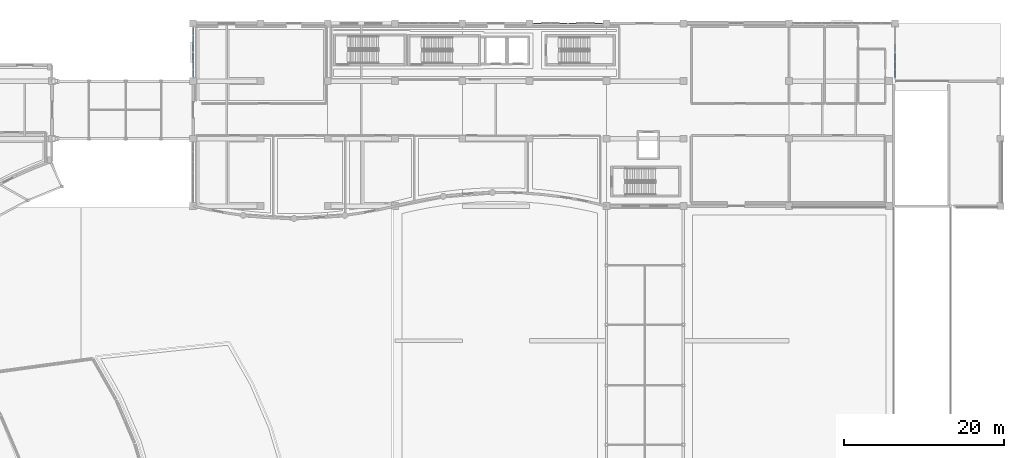
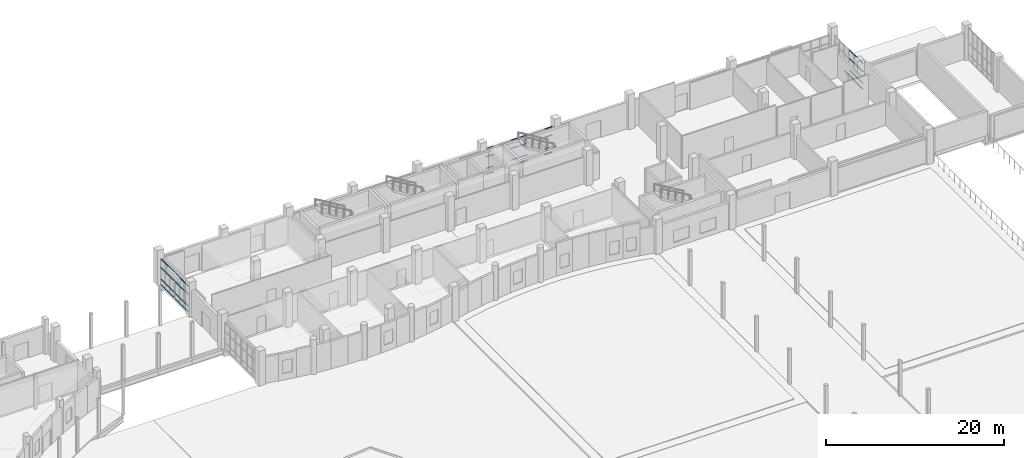
# One storey, part 46 of 97: 53 members, 6 elements without a shape of their own.
"""IFC4 building model written with IfcOpenShell, lengths in metres."""

import ifcopenshell
import ifcopenshell.guid

model = None  # the IFC model being written
_history = None  # IfcOwnerHistory: only IFC2X3 demands one
_inside = {}  # id of a spatial element -> (the spatial element, [elements in it])
_under = {}  # id of a project, library or spatial element -> (it, [spatial elements below it])
_declared = {}  # id of a project -> (the project, [libraries it declares])
_typed = {}  # id of a type object -> (the type object, [elements of that type])
_made_of = {}  # id of a material, layer set ... -> (it, [elements and type objects made of it])


def new_model(schema):
    """Start an empty IFC model of exactly this schema.

    Asked for "IFC4X3", IfcOpenShell would pick the latest addendum, in which some entities
    have other attributes; the version numbers below select the first issue.
    IFC2X3 requires an IfcOwnerHistory on every rooted entity: one is made here for all.
    """
    global model, _history
    if schema == "IFC4X3":
        model = ifcopenshell.file(schema_version=(4, 3, 0, 0))
    else:
        model = ifcopenshell.file(schema=schema)
    _inside.clear()
    _under.clear()
    _declared.clear()
    _typed.clear()
    _made_of.clear()
    _history = None
    if model.schema == "IFC2X3":
        org = make("IfcOrganization", Name="unknown")
        user = make(
            "IfcPersonAndOrganization",
            ThePerson=make("IfcPerson", FamilyName="unknown"),
            TheOrganization=org,
        )
        app = make(
            "IfcApplication",
            ApplicationDeveloper=org,
            Version="unknown",
            ApplicationFullName="unknown",
            ApplicationIdentifier="unknown",
        )
        _history = make(
            "IfcOwnerHistory",
            OwningUser=user,
            OwningApplication=app,
            ChangeAction="ADDED",
            CreationDate=0,
        )
    return model


def make(cls, **values):
    """One entity of the class cls with the attributes given. An attribute that is None is left unset."""
    return model.create_entity(
        cls, **{name: value for name, value in values.items() if value is not None}
    )


def rooted(cls, **values):
    """An entity with a GlobalId (a new one), such as an element, a storey or a relation."""
    return make(cls, GlobalId=ifcopenshell.guid.new(), OwnerHistory=_history, **values)


def si_unit(unit_type, name, prefix=None):
    """IfcSIUnit, for example si_unit("LENGTHUNIT", "METRE", prefix="MILLI")."""
    return make("IfcSIUnit", UnitType=unit_type, Prefix=prefix, Name=name)


def assignment(units):
    """IfcUnitAssignment: the units of a project."""
    return None if units is None else make("IfcUnitAssignment", Units=units)


def point(xyz):
    """IfcCartesianPoint."""
    return None if xyz is None else make("IfcCartesianPoint", Coordinates=xyz)


def direction(xyz):
    """IfcDirection."""
    return None if xyz is None else make("IfcDirection", DirectionRatios=xyz)


def frame(location, z_axis=None, x_axis=None):
    """IfcAxis2Placement3D, a coordinate frame: its origin and axes. An axis left out is left unset."""
    return make(
        "IfcAxis2Placement3D",
        Location=point(location),
        Axis=direction(z_axis),
        RefDirection=direction(x_axis),
    )


def frame_2d(location, x_axis=None):
    """IfcAxis2Placement2D, a coordinate frame in the plane: its origin and x axis."""
    return make(
        "IfcAxis2Placement2D", Location=point(location), RefDirection=direction(x_axis)
    )


def origin():
    """The frame at (0, 0, 0) with its axes left unset."""
    return frame((0.0, 0.0, 0.0))


def origin_2d():
    """The frame at (0, 0) in the plane with its x axis left unset."""
    return frame_2d((0.0, 0.0))


def place(relative_to, where):
    """IfcLocalPlacement: puts the frame where relative to a parent placement (None: the world)."""
    return make(
        "IfcLocalPlacement", PlacementRelTo=relative_to, RelativePlacement=where
    )


def context(
    kind, dimensions, precision=None, world=None, true_north=None, identifier=None
):
    """IfcGeometricRepresentationContext, for example the 3D "Model" context."""
    return make(
        "IfcGeometricRepresentationContext",
        ContextIdentifier=identifier,
        ContextType=kind,
        CoordinateSpaceDimension=dimensions,
        Precision=precision,
        WorldCoordinateSystem=world,
        TrueNorth=true_north,
    )


def subcontext(parent, identifier, kind, view, scale=None):
    """IfcGeometricRepresentationSubContext, for example "Body" below "Model"."""
    return make(
        "IfcGeometricRepresentationSubContext",
        ContextIdentifier=identifier,
        ContextType=kind,
        ParentContext=parent,
        TargetScale=scale,
        TargetView=view,
    )


def project(units=None, contexts=None):
    """IfcProject with its units and contexts."""
    return rooted(
        "IfcProject",
        Name="project",
        RepresentationContexts=contexts,
        UnitsInContext=assignment(units),
    )


def spatial(cls, under=None, at=None, **own):
    """A site, building, storey or space (cls), placed at a placement, below another one or the project."""
    s = rooted(cls, ObjectPlacement=at, **own)
    if under is not None:
        _under.setdefault(under.id(), (under, []))[1].append(s)
    return s


def profile(cls, at=None, kind="AREA", **sizes):
    """A parametric profile (cls). Its sizes go by their IFC names, for example OverallWidth=200.0."""
    return make(cls, ProfileType=kind, Position=at, **sizes)


def hollow_rectangle(**sizes):
    """IfcRectangleHollowProfileDef."""
    return profile("IfcRectangleHollowProfileDef", **sizes)


def extrude(swept, where, along, depth):
    """IfcExtrudedAreaSolid: the profile swept, set in the frame where, extruded along a direction by depth."""
    return make(
        "IfcExtrudedAreaSolid",
        SweptArea=swept,
        Position=where,
        ExtrudedDirection=direction(along),
        Depth=depth,
    )


def shape(context_of_items, identifier, shape_type, items):
    """IfcShapeRepresentation: the items that make up one representation, for example the "Body"."""
    return make(
        "IfcShapeRepresentation",
        ContextOfItems=context_of_items,
        RepresentationIdentifier=identifier,
        RepresentationType=shape_type,
        Items=items,
    )


def material(Name=None, Category=None):
    """IfcMaterial."""
    return make("IfcMaterial", Name=Name, Category=Category)


def layer(
    of_material, thickness, ventilated=None, Name=None, Category=None, Priority=None
):
    """IfcMaterialLayer: one layer of a wall or slab, of a material (None: an air gap)."""
    return make(
        "IfcMaterialLayer",
        Material=of_material,
        LayerThickness=thickness,
        IsVentilated=ventilated,
        Name=Name,
        Category=Category,
        Priority=Priority,
    )


def layer_set(layers, Name=None):
    """IfcMaterialLayerSet."""
    return make("IfcMaterialLayerSet", MaterialLayers=layers, LayerSetName=Name)


def material_profile(
    of_material, cross_section, Name=None, Category=None, Priority=None
):
    """IfcMaterialProfile: a cross section and its material."""
    return make(
        "IfcMaterialProfile",
        Name=Name,
        Material=of_material,
        Profile=cross_section,
        Priority=Priority,
        Category=Category,
    )


def profile_set(profiles, Name=None, composite=None):
    """IfcMaterialProfileSet."""
    return make(
        "IfcMaterialProfileSet",
        Name=Name,
        MaterialProfiles=profiles,
        CompositeProfile=composite,
    )


def made_of(thing, what):
    """Note that an element or type object is made of a material, layer set ...; save() writes the relation."""
    if what is not None:
        _made_of.setdefault(what.id(), (what, []))[1].append(thing)
    return thing


def type_object(cls, material=None, **own):
    """A type object (cls), such as IfcWallType, which elements share."""
    return made_of(rooted(cls, **own), material)


def element(
    cls,
    number,
    at=None,
    inside=None,
    cuts=None,
    type_object=None,
    material=None,
    context=None,
    identifier="Body",
    shape_type=None,
    held_by="IfcProductDefinitionShape",
    body=None,
    shapes=None,
    **own,
):
    """One element of the class cls, such as IfcWall. Its Tag is "e" and its number.

    at: its placement. inside: the storey or other place that contains it. cuts: it is an
    opening in that element (IfcRelVoidsElement). A single representation is given by context,
    identifier, shape_type and body (its items); several are given by shapes. held_by: the class
    of the entity that holds the representations. save() writes the other relations.
    """
    e = rooted(cls, Tag="e%d" % number, ObjectPlacement=at, **own)
    if body is not None:
        shapes = [shape(context, identifier, shape_type, body)]
    if shapes is not None:
        e.Representation = make(held_by, Representations=shapes)
    if inside is not None:
        _inside.setdefault(inside.id(), (inside, []))[1].append(e)
    if cuts is not None:
        rooted(
            "IfcRelVoidsElement", RelatingBuildingElement=cuts, RelatedOpeningElement=e
        )
    if type_object is not None:
        _typed.setdefault(type_object.id(), (type_object, []))[1].append(e)
    return made_of(e, material)


def aggregate(whole, parts):
    """IfcRelAggregates: a whole, such as a stair, and the parts it consists of."""
    return rooted("IfcRelAggregates", RelatingObject=whole, RelatedObjects=parts)


def save(model, path):
    """Write the relations noted so far, then the file.

    IfcRelAggregates (storeys below a building ...), IfcRelContainedInSpatialStructure (elements
    in a storey), IfcRelDefinesByType, IfcRelAssociatesMaterial and IfcRelDeclares: one each for
    every whole, place, type object, material and project.
    """
    for whole, parts in _under.values():
        aggregate(whole, parts)
    for where, things in _inside.values():
        rooted(
            "IfcRelContainedInSpatialStructure",
            RelatedElements=things,
            RelatingStructure=where,
        )
    for kind, things in _typed.values():
        rooted("IfcRelDefinesByType", RelatedObjects=things, RelatingType=kind)
    for what, things in _made_of.values():
        rooted("IfcRelAssociatesMaterial", RelatedObjects=things, RelatingMaterial=what)
    for by, libraries in _declared.values():
        rooted("IfcRelDeclares", RelatingContext=by, RelatedDefinitions=libraries)
    model.write(path)


model = new_model("IFC4")

# Units and contexts
model_context = context("Model", 3, precision=1e-05, world=origin(), true_north=direction((0.0, 1.0)))
body_context = subcontext(model_context, "Body", "Model", "MODEL_VIEW")
ifc_project = project(units=[si_unit("LENGTHUNIT", "METRE"), si_unit("AREAUNIT", "SQUARE_METRE"), si_unit("VOLUMEUNIT", "CUBIC_METRE"), si_unit("PLANEANGLEUNIT", "RADIAN"), si_unit("MASSUNIT", "GRAM", prefix="KILO")], contexts=[model_context])

# Site, building, storey
site_placement = place(None, origin())
site = spatial("IfcSite", under=ifc_project, at=site_placement, CompositionType="ELEMENT")
building_placement = place(site_placement, origin())
building = spatial("IfcBuilding", under=site, at=building_placement, Name="Kisaragi Civic Commons", CompositionType="ELEMENT")
storey_placement = place(building_placement, origin())
storey = spatial("IfcBuildingStorey", under=building, at=storey_placement, Name="L00", CompositionType="ELEMENT", Elevation=0.0)

# Curtain wall, members
ifc_material = material(Name="Thermally broken anodized aluminium and low-E double glazing", Category="aluminium")
ifc_layer = layer(ifc_material, 0.179931640625, Name="Thermally broken anodized aluminium and low-E double glazing", Category="aluminium")
ifc_layer_set = layer_set([ifc_layer], Name="Thermally broken anodized aluminium and low-E double glazing")
curtain_wall_type = type_object("IfcCurtainWallType", Name="CW-01", PredefinedType="NOTDEFINED", material=ifc_layer_set)
curtain_wall_1_placement = place(storey_placement, origin())
curtain_wall_1 = element("IfcCurtainWall", 1, at=curtain_wall_1_placement, inside=storey, type_object=curtain_wall_type, Name="L00 curtain wall CW-01 CW-V4-L00-047", PredefinedType="NOTDEFINED")
ifc_material_profile = material_profile(ifc_material, hollow_rectangle(XDim=0.139892578125, YDim=0.06494140625, WallThickness=0.00439453125, InnerFilletRadius=0.00439453125, OuterFilletRadius=0.009033203125, at=origin_2d()), Name="CWT-65x140x4.5", Category="aluminium")
ifc_profile_set = profile_set([ifc_material_profile], Name="Thermally broken anodized aluminium and low-E double glazing")
member_type = type_object("IfcMemberType", Name="CWT-02", PredefinedType="USERDEFINED", material=ifc_profile_set)
member_1_placement = place(storey_placement, frame((114.5048828125, 118.800048828125, 0.070068359375), z_axis=(1.0, 0.0, 0.0), x_axis=(0.0, 1.0, 0.0)))
member_1 = element("IfcMember", 2, at=member_1_placement, type_object=member_type, Name="CW-01 transom 1.1", ObjectType="TRANSOM", PredefinedType="USERDEFINED", context=body_context, shape_type="SweptSolid", body=[
    extrude(hollow_rectangle(XDim=0.139892578125, YDim=0.06494140625, WallThickness=0.00439453125, InnerFilletRadius=0.00439453125, OuterFilletRadius=0.009033203125, at=origin_2d()), origin(), (0.0, 0.0, 1.0), 0.982666015625),
])
member_2_placement = place(storey_placement, frame((114.5048828125, 118.800048828125, 0.85009765625), z_axis=(1.0, 0.0, 0.0), x_axis=(0.0, 1.0, 0.0)))
member_2 = element("IfcMember", 3, at=member_2_placement, type_object=member_type, Name="CW-01 transom 1.2", ObjectType="TRANSOM", PredefinedType="USERDEFINED", context=body_context, shape_type="SweptSolid", body=[
    extrude(hollow_rectangle(XDim=0.139892578125, YDim=0.06494140625, WallThickness=0.00439453125, InnerFilletRadius=0.00439453125, OuterFilletRadius=0.009033203125, at=origin_2d()), origin(), (0.0, 0.0, 1.0), 0.982666015625),
])
member_3_placement = place(storey_placement, frame((114.5048828125, 118.800048828125, 2.449951171875), z_axis=(1.0, 0.0, 0.0), x_axis=(0.0, 1.0, 0.0)))
member_3 = element("IfcMember", 4, at=member_3_placement, type_object=member_type, Name="CW-01 transom 1.3", ObjectType="TRANSOM", PredefinedType="USERDEFINED", context=body_context, shape_type="SweptSolid", body=[
    extrude(hollow_rectangle(XDim=0.139892578125, YDim=0.06494140625, WallThickness=0.00439453125, InnerFilletRadius=0.00439453125, OuterFilletRadius=0.009033203125, at=origin_2d()), origin(), (0.0, 0.0, 1.0), 0.982666015625),
])
member_4_placement = place(storey_placement, frame((114.5048828125, 118.800048828125, 3.60009765625), z_axis=(1.0, 0.0, 0.0), x_axis=(0.0, 1.0, 0.0)))
member_4 = element("IfcMember", 5, at=member_4_placement, type_object=member_type, Name="CW-01 transom 1.4", ObjectType="TRANSOM", PredefinedType="USERDEFINED", context=body_context, shape_type="SweptSolid", body=[
    extrude(hollow_rectangle(XDim=0.139892578125, YDim=0.06494140625, WallThickness=0.00439453125, InnerFilletRadius=0.00439453125, OuterFilletRadius=0.009033203125, at=origin_2d()), origin(), (0.0, 0.0, 1.0), 0.982666015625),
])
member_5_placement = place(storey_placement, frame((117.71240234375, 118.800048828125, 0.070068359375), z_axis=(1.0, 0.0, 0.0), x_axis=(0.0, 1.0, 0.0)))
member_5 = element("IfcMember", 6, at=member_5_placement, type_object=member_type, Name="CW-01 transom 4.1", ObjectType="TRANSOM", PredefinedType="USERDEFINED", context=body_context, shape_type="SweptSolid", body=[
    extrude(hollow_rectangle(XDim=0.139892578125, YDim=0.06494140625, WallThickness=0.00439453125, InnerFilletRadius=0.00439453125, OuterFilletRadius=0.009033203125, at=origin_2d()), origin(), (0.0, 0.0, 1.0), 0.982666015625),
])
member_6_placement = place(storey_placement, frame((117.71240234375, 118.800048828125, 0.85009765625), z_axis=(1.0, 0.0, 0.0), x_axis=(0.0, 1.0, 0.0)))
member_6 = element("IfcMember", 7, at=member_6_placement, type_object=member_type, Name="CW-01 transom 4.2", ObjectType="TRANSOM", PredefinedType="USERDEFINED", context=body_context, shape_type="SweptSolid", body=[
    extrude(hollow_rectangle(XDim=0.139892578125, YDim=0.06494140625, WallThickness=0.00439453125, InnerFilletRadius=0.00439453125, OuterFilletRadius=0.009033203125, at=origin_2d()), origin(), (0.0, 0.0, 1.0), 0.982666015625),
])
member_7_placement = place(storey_placement, frame((117.71240234375, 118.800048828125, 2.449951171875), z_axis=(1.0, 0.0, 0.0), x_axis=(0.0, 1.0, 0.0)))
member_7 = element("IfcMember", 8, at=member_7_placement, type_object=member_type, Name="CW-01 transom 4.3", ObjectType="TRANSOM", PredefinedType="USERDEFINED", context=body_context, shape_type="SweptSolid", body=[
    extrude(hollow_rectangle(XDim=0.139892578125, YDim=0.06494140625, WallThickness=0.00439453125, InnerFilletRadius=0.00439453125, OuterFilletRadius=0.009033203125, at=origin_2d()), origin(), (0.0, 0.0, 1.0), 0.982666015625),
])
member_8_placement = place(storey_placement, frame((117.71240234375, 118.800048828125, 3.60009765625), z_axis=(1.0, 0.0, 0.0), x_axis=(0.0, 1.0, 0.0)))
member_8 = element("IfcMember", 9, at=member_8_placement, type_object=member_type, Name="CW-01 transom 4.4", ObjectType="TRANSOM", PredefinedType="USERDEFINED", context=body_context, shape_type="SweptSolid", body=[
    extrude(hollow_rectangle(XDim=0.139892578125, YDim=0.06494140625, WallThickness=0.00439453125, InnerFilletRadius=0.00439453125, OuterFilletRadius=0.009033203125, at=origin_2d()), origin(), (0.0, 0.0, 1.0), 0.982666015625),
])
aggregate(curtain_wall_1, [member_1, member_2, member_3, member_4, member_5, member_6, member_7, member_8])

curtain_wall_2_placement = place(storey_placement, origin())
curtain_wall_2 = element("IfcCurtainWall", 10, at=curtain_wall_2_placement, inside=storey, type_object=curtain_wall_type, Name="L00 curtain wall CW-01 CW-V4-L00-048", PredefinedType="NOTDEFINED")
member_9_placement = place(storey_placement, frame((118.905029296875, 118.800048828125, 0.070068359375), z_axis=(1.0, 0.0, 0.0), x_axis=(0.0, 1.0, 0.0)))
member_9 = element("IfcMember", 11, at=member_9_placement, type_object=member_type, Name="CW-01 transom 1.1", ObjectType="TRANSOM", PredefinedType="USERDEFINED", context=body_context, shape_type="SweptSolid", body=[
    extrude(hollow_rectangle(XDim=0.139892578125, YDim=0.06494140625, WallThickness=0.00439453125, InnerFilletRadius=0.00439453125, OuterFilletRadius=0.009033203125, at=origin_2d()), origin(), (0.0, 0.0, 1.0), 0.982421875),
])
member_10_placement = place(storey_placement, frame((118.905029296875, 118.800048828125, 0.85009765625), z_axis=(1.0, 0.0, 0.0), x_axis=(0.0, 1.0, 0.0)))
member_10 = element("IfcMember", 12, at=member_10_placement, type_object=member_type, Name="CW-01 transom 1.2", ObjectType="TRANSOM", PredefinedType="USERDEFINED", context=body_context, shape_type="SweptSolid", body=[
    extrude(hollow_rectangle(XDim=0.139892578125, YDim=0.06494140625, WallThickness=0.00439453125, InnerFilletRadius=0.00439453125, OuterFilletRadius=0.009033203125, at=origin_2d()), origin(), (0.0, 0.0, 1.0), 0.982421875),
])
member_11_placement = place(storey_placement, frame((118.905029296875, 118.800048828125, 2.449951171875), z_axis=(1.0, 0.0, 0.0), x_axis=(0.0, 1.0, 0.0)))
member_11 = element("IfcMember", 13, at=member_11_placement, type_object=member_type, Name="CW-01 transom 1.3", ObjectType="TRANSOM", PredefinedType="USERDEFINED", context=body_context, shape_type="SweptSolid", body=[
    extrude(hollow_rectangle(XDim=0.139892578125, YDim=0.06494140625, WallThickness=0.00439453125, InnerFilletRadius=0.00439453125, OuterFilletRadius=0.009033203125, at=origin_2d()), origin(), (0.0, 0.0, 1.0), 0.982421875),
])
member_12_placement = place(storey_placement, frame((118.905029296875, 118.800048828125, 3.60009765625), z_axis=(1.0, 0.0, 0.0), x_axis=(0.0, 1.0, 0.0)))
member_12 = element("IfcMember", 14, at=member_12_placement, type_object=member_type, Name="CW-01 transom 1.4", ObjectType="TRANSOM", PredefinedType="USERDEFINED", context=body_context, shape_type="SweptSolid", body=[
    extrude(hollow_rectangle(XDim=0.139892578125, YDim=0.06494140625, WallThickness=0.00439453125, InnerFilletRadius=0.00439453125, OuterFilletRadius=0.009033203125, at=origin_2d()), origin(), (0.0, 0.0, 1.0), 0.982421875),
])
member_13_placement = place(storey_placement, frame((122.112548828125, 118.800048828125, 0.070068359375), z_axis=(1.0, 0.0, 0.0), x_axis=(0.0, 1.0, 0.0)))
member_13 = element("IfcMember", 15, at=member_13_placement, type_object=member_type, Name="CW-01 transom 4.1", ObjectType="TRANSOM", PredefinedType="USERDEFINED", context=body_context, shape_type="SweptSolid", body=[
    extrude(hollow_rectangle(XDim=0.139892578125, YDim=0.06494140625, WallThickness=0.00439453125, InnerFilletRadius=0.00439453125, OuterFilletRadius=0.009033203125, at=origin_2d()), origin(), (0.0, 0.0, 1.0), 0.982421875),
])
member_14_placement = place(storey_placement, frame((122.112548828125, 118.800048828125, 0.85009765625), z_axis=(1.0, 0.0, 0.0), x_axis=(0.0, 1.0, 0.0)))
member_14 = element("IfcMember", 16, at=member_14_placement, type_object=member_type, Name="CW-01 transom 4.2", ObjectType="TRANSOM", PredefinedType="USERDEFINED", context=body_context, shape_type="SweptSolid", body=[
    extrude(hollow_rectangle(XDim=0.139892578125, YDim=0.06494140625, WallThickness=0.00439453125, InnerFilletRadius=0.00439453125, OuterFilletRadius=0.009033203125, at=origin_2d()), origin(), (0.0, 0.0, 1.0), 0.982421875),
])
member_15_placement = place(storey_placement, frame((122.112548828125, 118.800048828125, 2.449951171875), z_axis=(1.0, 0.0, 0.0), x_axis=(0.0, 1.0, 0.0)))
member_15 = element("IfcMember", 17, at=member_15_placement, type_object=member_type, Name="CW-01 transom 4.3", ObjectType="TRANSOM", PredefinedType="USERDEFINED", context=body_context, shape_type="SweptSolid", body=[
    extrude(hollow_rectangle(XDim=0.139892578125, YDim=0.06494140625, WallThickness=0.00439453125, InnerFilletRadius=0.00439453125, OuterFilletRadius=0.009033203125, at=origin_2d()), origin(), (0.0, 0.0, 1.0), 0.982421875),
])
member_16_placement = place(storey_placement, frame((122.112548828125, 118.800048828125, 3.60009765625), z_axis=(1.0, 0.0, 0.0), x_axis=(0.0, 1.0, 0.0)))
member_16 = element("IfcMember", 18, at=member_16_placement, type_object=member_type, Name="CW-01 transom 4.4", ObjectType="TRANSOM", PredefinedType="USERDEFINED", context=body_context, shape_type="SweptSolid", body=[
    extrude(hollow_rectangle(XDim=0.139892578125, YDim=0.06494140625, WallThickness=0.00439453125, InnerFilletRadius=0.00439453125, OuterFilletRadius=0.009033203125, at=origin_2d()), origin(), (0.0, 0.0, 1.0), 0.982421875),
])
aggregate(curtain_wall_2, [member_9, member_10, member_11, member_12, member_13, member_14, member_15, member_16])

# Curtain wall, member
curtain_wall_3_placement = place(storey_placement, origin())
curtain_wall_3 = element("IfcCurtainWall", 19, at=curtain_wall_3_placement, inside=storey, type_object=curtain_wall_type, Name="L00 curtain wall CW-01 CW-V4-L00-051", PredefinedType="NOTDEFINED")
member_17_placement = place(storey_placement, frame((159.60009765625, 116.2275390625, 0.070068359375), z_axis=(0.0, -1.0, 0.0), x_axis=(1.0, 0.0, 0.0)))
member_17 = element("IfcMember", 20, at=member_17_placement, type_object=member_type, Name="CW-01 transom 3.1", ObjectType="TRANSOM", PredefinedType="USERDEFINED", context=body_context, shape_type="SweptSolid", body=[
    extrude(hollow_rectangle(XDim=0.139892578125, YDim=0.06494140625, WallThickness=0.00439453125, InnerFilletRadius=0.00439453125, OuterFilletRadius=0.009033203125, at=origin_2d()), origin(), (0.0, 0.0, 1.0), 0.95263671875),
])
aggregate(curtain_wall_3, [member_17])

# Curtain wall, members
curtain_wall_4_placement = place(storey_placement, origin())
curtain_wall_4 = element("IfcCurtainWall", 21, at=curtain_wall_4_placement, inside=storey, type_object=curtain_wall_type, Name="L00 curtain wall CW-01 CW-V4-L00-052", PredefinedType="NOTDEFINED")
member_18_placement = place(storey_placement, frame((159.60009765625, 115.06494140625, 0.070068359375), z_axis=(0.0, -1.0, 0.0), x_axis=(1.0, 0.0, 0.0)))
member_18 = element("IfcMember", 22, at=member_18_placement, type_object=member_type, Name="CW-01 transom 1.1", ObjectType="TRANSOM", PredefinedType="USERDEFINED", context=body_context, shape_type="SweptSolid", body=[
    extrude(hollow_rectangle(XDim=0.139892578125, YDim=0.06494140625, WallThickness=0.00439453125, InnerFilletRadius=0.00439453125, OuterFilletRadius=0.009033203125, at=origin_2d()), origin(), (0.0, 0.0, 1.0), 0.952392578125),
])
member_19_placement = place(storey_placement, frame((159.60009765625, 115.06494140625, 0.85009765625), z_axis=(0.0, -1.0, 0.0), x_axis=(1.0, 0.0, 0.0)))
member_19 = element("IfcMember", 23, at=member_19_placement, type_object=member_type, Name="CW-01 transom 1.2", ObjectType="TRANSOM", PredefinedType="USERDEFINED", context=body_context, shape_type="SweptSolid", body=[
    extrude(hollow_rectangle(XDim=0.139892578125, YDim=0.06494140625, WallThickness=0.00439453125, InnerFilletRadius=0.00439453125, OuterFilletRadius=0.009033203125, at=origin_2d()), origin(), (0.0, 0.0, 1.0), 0.952392578125),
])
member_20_placement = place(storey_placement, frame((159.60009765625, 115.06494140625, 2.449951171875), z_axis=(0.0, -1.0, 0.0), x_axis=(1.0, 0.0, 0.0)))
member_20 = element("IfcMember", 24, at=member_20_placement, type_object=member_type, Name="CW-01 transom 1.3", ObjectType="TRANSOM", PredefinedType="USERDEFINED", context=body_context, shape_type="SweptSolid", body=[
    extrude(hollow_rectangle(XDim=0.139892578125, YDim=0.06494140625, WallThickness=0.00439453125, InnerFilletRadius=0.00439453125, OuterFilletRadius=0.009033203125, at=origin_2d()), origin(), (0.0, 0.0, 1.0), 0.952392578125),
])
member_21_placement = place(storey_placement, frame((159.60009765625, 115.06494140625, 3.60009765625), z_axis=(0.0, -1.0, 0.0), x_axis=(1.0, 0.0, 0.0)))
member_21 = element("IfcMember", 25, at=member_21_placement, type_object=member_type, Name="CW-01 transom 1.4", ObjectType="TRANSOM", PredefinedType="USERDEFINED", context=body_context, shape_type="SweptSolid", body=[
    extrude(hollow_rectangle(XDim=0.139892578125, YDim=0.06494140625, WallThickness=0.00439453125, InnerFilletRadius=0.00439453125, OuterFilletRadius=0.009033203125, at=origin_2d()), origin(), (0.0, 0.0, 1.0), 0.952392578125),
])
member_22_placement = place(storey_placement, frame((159.60009765625, 114.047607421875, 0.070068359375), z_axis=(0.0, -1.0, 0.0), x_axis=(1.0, 0.0, 0.0)))
member_22 = element("IfcMember", 26, at=member_22_placement, type_object=member_type, Name="CW-01 transom 2.1", ObjectType="TRANSOM", PredefinedType="USERDEFINED", context=body_context, shape_type="SweptSolid", body=[
    extrude(hollow_rectangle(XDim=0.139892578125, YDim=0.06494140625, WallThickness=0.00439453125, InnerFilletRadius=0.00439453125, OuterFilletRadius=0.009033203125, at=origin_2d()), origin(), (0.0, 0.0, 1.0), 0.985107421875),
])
member_23_placement = place(storey_placement, frame((159.60009765625, 114.047607421875, 0.85009765625), z_axis=(0.0, -1.0, 0.0), x_axis=(1.0, 0.0, 0.0)))
member_23 = element("IfcMember", 27, at=member_23_placement, type_object=member_type, Name="CW-01 transom 2.2", ObjectType="TRANSOM", PredefinedType="USERDEFINED", context=body_context, shape_type="SweptSolid", body=[
    extrude(hollow_rectangle(XDim=0.139892578125, YDim=0.06494140625, WallThickness=0.00439453125, InnerFilletRadius=0.00439453125, OuterFilletRadius=0.009033203125, at=origin_2d()), origin(), (0.0, 0.0, 1.0), 0.985107421875),
])
member_24_placement = place(storey_placement, frame((159.60009765625, 114.047607421875, 2.449951171875), z_axis=(0.0, -1.0, 0.0), x_axis=(1.0, 0.0, 0.0)))
member_24 = element("IfcMember", 28, at=member_24_placement, type_object=member_type, Name="CW-01 transom 2.3", ObjectType="TRANSOM", PredefinedType="USERDEFINED", context=body_context, shape_type="SweptSolid", body=[
    extrude(hollow_rectangle(XDim=0.139892578125, YDim=0.06494140625, WallThickness=0.00439453125, InnerFilletRadius=0.00439453125, OuterFilletRadius=0.009033203125, at=origin_2d()), origin(), (0.0, 0.0, 1.0), 0.985107421875),
])
member_25_placement = place(storey_placement, frame((159.60009765625, 114.047607421875, 3.60009765625), z_axis=(0.0, -1.0, 0.0), x_axis=(1.0, 0.0, 0.0)))
member_25 = element("IfcMember", 29, at=member_25_placement, type_object=member_type, Name="CW-01 transom 2.4", ObjectType="TRANSOM", PredefinedType="USERDEFINED", context=body_context, shape_type="SweptSolid", body=[
    extrude(hollow_rectangle(XDim=0.139892578125, YDim=0.06494140625, WallThickness=0.00439453125, InnerFilletRadius=0.00439453125, OuterFilletRadius=0.009033203125, at=origin_2d()), origin(), (0.0, 0.0, 1.0), 0.985107421875),
])
member_26_placement = place(storey_placement, frame((159.60009765625, 112.99755859375, 0.070068359375), z_axis=(0.0, -1.0, 0.0), x_axis=(1.0, 0.0, 0.0)))
member_26 = element("IfcMember", 30, at=member_26_placement, type_object=member_type, Name="CW-01 transom 3.1", ObjectType="TRANSOM", PredefinedType="USERDEFINED", context=body_context, shape_type="SweptSolid", body=[
    extrude(hollow_rectangle(XDim=0.139892578125, YDim=0.06494140625, WallThickness=0.00439453125, InnerFilletRadius=0.00439453125, OuterFilletRadius=0.009033203125, at=origin_2d()), origin(), (0.0, 0.0, 1.0), 0.95263671875),
])
member_27_placement = place(storey_placement, frame((159.60009765625, 112.99755859375, 0.85009765625), z_axis=(0.0, -1.0, 0.0), x_axis=(1.0, 0.0, 0.0)))
member_27 = element("IfcMember", 31, at=member_27_placement, type_object=member_type, Name="CW-01 transom 3.2", ObjectType="TRANSOM", PredefinedType="USERDEFINED", context=body_context, shape_type="SweptSolid", body=[
    extrude(hollow_rectangle(XDim=0.139892578125, YDim=0.06494140625, WallThickness=0.00439453125, InnerFilletRadius=0.00439453125, OuterFilletRadius=0.009033203125, at=origin_2d()), origin(), (0.0, 0.0, 1.0), 0.95263671875),
])
member_28_placement = place(storey_placement, frame((159.60009765625, 112.99755859375, 2.449951171875), z_axis=(0.0, -1.0, 0.0), x_axis=(1.0, 0.0, 0.0)))
member_28 = element("IfcMember", 32, at=member_28_placement, type_object=member_type, Name="CW-01 transom 3.3", ObjectType="TRANSOM", PredefinedType="USERDEFINED", context=body_context, shape_type="SweptSolid", body=[
    extrude(hollow_rectangle(XDim=0.139892578125, YDim=0.06494140625, WallThickness=0.00439453125, InnerFilletRadius=0.00439453125, OuterFilletRadius=0.009033203125, at=origin_2d()), origin(), (0.0, 0.0, 1.0), 0.95263671875),
])
member_29_placement = place(storey_placement, frame((159.60009765625, 112.99755859375, 3.60009765625), z_axis=(0.0, -1.0, 0.0), x_axis=(1.0, 0.0, 0.0)))
member_29 = element("IfcMember", 33, at=member_29_placement, type_object=member_type, Name="CW-01 transom 3.4", ObjectType="TRANSOM", PredefinedType="USERDEFINED", context=body_context, shape_type="SweptSolid", body=[
    extrude(hollow_rectangle(XDim=0.139892578125, YDim=0.06494140625, WallThickness=0.00439453125, InnerFilletRadius=0.00439453125, OuterFilletRadius=0.009033203125, at=origin_2d()), origin(), (0.0, 0.0, 1.0), 0.95263671875),
])
aggregate(curtain_wall_4, [member_18, member_19, member_20, member_21, member_22, member_23, member_24, member_25, member_26, member_27, member_28, member_29])

curtain_wall_5_placement = place(storey_placement, origin())
curtain_wall_5 = element("IfcCurtainWall", 34, at=curtain_wall_5_placement, inside=storey, type_object=curtain_wall_type, Name="L00 curtain wall CW-01 CW-V4-L00-057", PredefinedType="NOTDEFINED")
member_30_placement = place(storey_placement, frame((72.0, 112.10498046875, 0.070068359375), z_axis=(0.0, 1.0, 0.0), x_axis=(-1.0, 0.0, 0.0)))
member_30 = element("IfcMember", 35, at=member_30_placement, type_object=member_type, Name="CW-01 transom 1.1", ObjectType="TRANSOM", PredefinedType="USERDEFINED", context=body_context, shape_type="SweptSolid", body=[
    extrude(hollow_rectangle(XDim=0.139892578125, YDim=0.06494140625, WallThickness=0.00439453125, InnerFilletRadius=0.00439453125, OuterFilletRadius=0.009033203125, at=origin_2d()), origin(), (0.0, 0.0, 1.0), 0.942626953125),
])
member_31_placement = place(storey_placement, frame((72.0, 112.10498046875, 0.85009765625), z_axis=(0.0, 1.0, 0.0), x_axis=(-1.0, 0.0, 0.0)))
member_31 = element("IfcMember", 36, at=member_31_placement, type_object=member_type, Name="CW-01 transom 1.2", ObjectType="TRANSOM", PredefinedType="USERDEFINED", context=body_context, shape_type="SweptSolid", body=[
    extrude(hollow_rectangle(XDim=0.139892578125, YDim=0.06494140625, WallThickness=0.00439453125, InnerFilletRadius=0.00439453125, OuterFilletRadius=0.009033203125, at=origin_2d()), origin(), (0.0, 0.0, 1.0), 0.942626953125),
])
member_32_placement = place(storey_placement, frame((72.0, 112.10498046875, 2.449951171875), z_axis=(0.0, 1.0, 0.0), x_axis=(-1.0, 0.0, 0.0)))
member_32 = element("IfcMember", 37, at=member_32_placement, type_object=member_type, Name="CW-01 transom 1.3", ObjectType="TRANSOM", PredefinedType="USERDEFINED", context=body_context, shape_type="SweptSolid", body=[
    extrude(hollow_rectangle(XDim=0.139892578125, YDim=0.06494140625, WallThickness=0.00439453125, InnerFilletRadius=0.00439453125, OuterFilletRadius=0.009033203125, at=origin_2d()), origin(), (0.0, 0.0, 1.0), 0.942626953125),
])
member_33_placement = place(storey_placement, frame((72.0, 112.10498046875, 3.60009765625), z_axis=(0.0, 1.0, 0.0), x_axis=(-1.0, 0.0, 0.0)))
member_33 = element("IfcMember", 38, at=member_33_placement, type_object=member_type, Name="CW-01 transom 1.4", ObjectType="TRANSOM", PredefinedType="USERDEFINED", context=body_context, shape_type="SweptSolid", body=[
    extrude(hollow_rectangle(XDim=0.139892578125, YDim=0.06494140625, WallThickness=0.00439453125, InnerFilletRadius=0.00439453125, OuterFilletRadius=0.009033203125, at=origin_2d()), origin(), (0.0, 0.0, 1.0), 0.942626953125),
])
member_34_placement = place(storey_placement, frame((72.0, 113.112548828125, 0.070068359375), z_axis=(0.0, 1.0, 0.0), x_axis=(-1.0, 0.0, 0.0)))
member_34 = element("IfcMember", 39, at=member_34_placement, type_object=member_type, Name="CW-01 transom 2.1", ObjectType="TRANSOM", PredefinedType="USERDEFINED", context=body_context, shape_type="SweptSolid", body=[
    extrude(hollow_rectangle(XDim=0.139892578125, YDim=0.06494140625, WallThickness=0.00439453125, InnerFilletRadius=0.00439453125, OuterFilletRadius=0.009033203125, at=origin_2d()), origin(), (0.0, 0.0, 1.0), 0.974853515625),
])
member_35_placement = place(storey_placement, frame((72.0, 113.112548828125, 0.85009765625), z_axis=(0.0, 1.0, 0.0), x_axis=(-1.0, 0.0, 0.0)))
member_35 = element("IfcMember", 40, at=member_35_placement, type_object=member_type, Name="CW-01 transom 2.2", ObjectType="TRANSOM", PredefinedType="USERDEFINED", context=body_context, shape_type="SweptSolid", body=[
    extrude(hollow_rectangle(XDim=0.139892578125, YDim=0.06494140625, WallThickness=0.00439453125, InnerFilletRadius=0.00439453125, OuterFilletRadius=0.009033203125, at=origin_2d()), origin(), (0.0, 0.0, 1.0), 0.974853515625),
])
member_36_placement = place(storey_placement, frame((72.0, 113.112548828125, 2.449951171875), z_axis=(0.0, 1.0, 0.0), x_axis=(-1.0, 0.0, 0.0)))
member_36 = element("IfcMember", 41, at=member_36_placement, type_object=member_type, Name="CW-01 transom 2.3", ObjectType="TRANSOM", PredefinedType="USERDEFINED", context=body_context, shape_type="SweptSolid", body=[
    extrude(hollow_rectangle(XDim=0.139892578125, YDim=0.06494140625, WallThickness=0.00439453125, InnerFilletRadius=0.00439453125, OuterFilletRadius=0.009033203125, at=origin_2d()), origin(), (0.0, 0.0, 1.0), 0.974853515625),
])
member_37_placement = place(storey_placement, frame((72.0, 113.112548828125, 3.60009765625), z_axis=(0.0, 1.0, 0.0), x_axis=(-1.0, 0.0, 0.0)))
member_37 = element("IfcMember", 42, at=member_37_placement, type_object=member_type, Name="CW-01 transom 2.4", ObjectType="TRANSOM", PredefinedType="USERDEFINED", context=body_context, shape_type="SweptSolid", body=[
    extrude(hollow_rectangle(XDim=0.139892578125, YDim=0.06494140625, WallThickness=0.00439453125, InnerFilletRadius=0.00439453125, OuterFilletRadius=0.009033203125, at=origin_2d()), origin(), (0.0, 0.0, 1.0), 0.974853515625),
])
member_38_placement = place(storey_placement, frame((72.0, 114.152587890625, 0.070068359375), z_axis=(0.0, 1.0, 0.0), x_axis=(-1.0, 0.0, 0.0)))
member_38 = element("IfcMember", 43, at=member_38_placement, type_object=member_type, Name="CW-01 transom 3.1", ObjectType="TRANSOM", PredefinedType="USERDEFINED", context=body_context, shape_type="SweptSolid", body=[
    extrude(hollow_rectangle(XDim=0.139892578125, YDim=0.06494140625, WallThickness=0.00439453125, InnerFilletRadius=0.00439453125, OuterFilletRadius=0.009033203125, at=origin_2d()), origin(), (0.0, 0.0, 1.0), 0.9423828125),
])
member_39_placement = place(storey_placement, frame((72.0, 114.152587890625, 0.85009765625), z_axis=(0.0, 1.0, 0.0), x_axis=(-1.0, 0.0, 0.0)))
member_39 = element("IfcMember", 44, at=member_39_placement, type_object=member_type, Name="CW-01 transom 3.2", ObjectType="TRANSOM", PredefinedType="USERDEFINED", context=body_context, shape_type="SweptSolid", body=[
    extrude(hollow_rectangle(XDim=0.139892578125, YDim=0.06494140625, WallThickness=0.00439453125, InnerFilletRadius=0.00439453125, OuterFilletRadius=0.009033203125, at=origin_2d()), origin(), (0.0, 0.0, 1.0), 0.9423828125),
])
member_40_placement = place(storey_placement, frame((72.0, 114.152587890625, 2.449951171875), z_axis=(0.0, 1.0, 0.0), x_axis=(-1.0, 0.0, 0.0)))
member_40 = element("IfcMember", 45, at=member_40_placement, type_object=member_type, Name="CW-01 transom 3.3", ObjectType="TRANSOM", PredefinedType="USERDEFINED", context=body_context, shape_type="SweptSolid", body=[
    extrude(hollow_rectangle(XDim=0.139892578125, YDim=0.06494140625, WallThickness=0.00439453125, InnerFilletRadius=0.00439453125, OuterFilletRadius=0.009033203125, at=origin_2d()), origin(), (0.0, 0.0, 1.0), 0.9423828125),
])
member_41_placement = place(storey_placement, frame((72.0, 114.152587890625, 3.60009765625), z_axis=(0.0, 1.0, 0.0), x_axis=(-1.0, 0.0, 0.0)))
member_41 = element("IfcMember", 46, at=member_41_placement, type_object=member_type, Name="CW-01 transom 3.4", ObjectType="TRANSOM", PredefinedType="USERDEFINED", context=body_context, shape_type="SweptSolid", body=[
    extrude(hollow_rectangle(XDim=0.139892578125, YDim=0.06494140625, WallThickness=0.00439453125, InnerFilletRadius=0.00439453125, OuterFilletRadius=0.009033203125, at=origin_2d()), origin(), (0.0, 0.0, 1.0), 0.9423828125),
])
aggregate(curtain_wall_5, [member_30, member_31, member_32, member_33, member_34, member_35, member_36, member_37, member_38, member_39, member_40, member_41])

curtain_wall_6_placement = place(storey_placement, origin())
curtain_wall_6 = element("IfcCurtainWall", 47, at=curtain_wall_6_placement, inside=storey, type_object=curtain_wall_type, Name="L00 curtain wall CW-01 CW-V4-L00-058", PredefinedType="NOTDEFINED")
member_42_placement = place(storey_placement, frame((72.0, 115.304931640625, 0.070068359375), z_axis=(0.0, 1.0, 0.0), x_axis=(-1.0, 0.0, 0.0)))
member_42 = element("IfcMember", 48, at=member_42_placement, type_object=member_type, Name="CW-01 transom 1.1", ObjectType="TRANSOM", PredefinedType="USERDEFINED", context=body_context, shape_type="SweptSolid", body=[
    extrude(hollow_rectangle(XDim=0.139892578125, YDim=0.06494140625, WallThickness=0.00439453125, InnerFilletRadius=0.00439453125, OuterFilletRadius=0.009033203125, at=origin_2d()), origin(), (0.0, 0.0, 1.0), 0.942626953125),
])
member_43_placement = place(storey_placement, frame((72.0, 115.304931640625, 0.85009765625), z_axis=(0.0, 1.0, 0.0), x_axis=(-1.0, 0.0, 0.0)))
member_43 = element("IfcMember", 49, at=member_43_placement, type_object=member_type, Name="CW-01 transom 1.2", ObjectType="TRANSOM", PredefinedType="USERDEFINED", context=body_context, shape_type="SweptSolid", body=[
    extrude(hollow_rectangle(XDim=0.139892578125, YDim=0.06494140625, WallThickness=0.00439453125, InnerFilletRadius=0.00439453125, OuterFilletRadius=0.009033203125, at=origin_2d()), origin(), (0.0, 0.0, 1.0), 0.942626953125),
])
member_44_placement = place(storey_placement, frame((72.0, 115.304931640625, 2.449951171875), z_axis=(0.0, 1.0, 0.0), x_axis=(-1.0, 0.0, 0.0)))
member_44 = element("IfcMember", 50, at=member_44_placement, type_object=member_type, Name="CW-01 transom 1.3", ObjectType="TRANSOM", PredefinedType="USERDEFINED", context=body_context, shape_type="SweptSolid", body=[
    extrude(hollow_rectangle(XDim=0.139892578125, YDim=0.06494140625, WallThickness=0.00439453125, InnerFilletRadius=0.00439453125, OuterFilletRadius=0.009033203125, at=origin_2d()), origin(), (0.0, 0.0, 1.0), 0.942626953125),
])
member_45_placement = place(storey_placement, frame((72.0, 115.304931640625, 3.60009765625), z_axis=(0.0, 1.0, 0.0), x_axis=(-1.0, 0.0, 0.0)))
member_45 = element("IfcMember", 51, at=member_45_placement, type_object=member_type, Name="CW-01 transom 1.4", ObjectType="TRANSOM", PredefinedType="USERDEFINED", context=body_context, shape_type="SweptSolid", body=[
    extrude(hollow_rectangle(XDim=0.139892578125, YDim=0.06494140625, WallThickness=0.00439453125, InnerFilletRadius=0.00439453125, OuterFilletRadius=0.009033203125, at=origin_2d()), origin(), (0.0, 0.0, 1.0), 0.942626953125),
])
member_46_placement = place(storey_placement, frame((72.0, 116.3125, 0.070068359375), z_axis=(0.0, 1.0, 0.0), x_axis=(-1.0, 0.0, 0.0)))
member_46 = element("IfcMember", 52, at=member_46_placement, type_object=member_type, Name="CW-01 transom 2.1", ObjectType="TRANSOM", PredefinedType="USERDEFINED", context=body_context, shape_type="SweptSolid", body=[
    extrude(hollow_rectangle(XDim=0.139892578125, YDim=0.06494140625, WallThickness=0.00439453125, InnerFilletRadius=0.00439453125, OuterFilletRadius=0.009033203125, at=origin_2d()), origin(), (0.0, 0.0, 1.0), 0.97509765625),
])
member_47_placement = place(storey_placement, frame((72.0, 116.3125, 0.85009765625), z_axis=(0.0, 1.0, 0.0), x_axis=(-1.0, 0.0, 0.0)))
member_47 = element("IfcMember", 53, at=member_47_placement, type_object=member_type, Name="CW-01 transom 2.2", ObjectType="TRANSOM", PredefinedType="USERDEFINED", context=body_context, shape_type="SweptSolid", body=[
    extrude(hollow_rectangle(XDim=0.139892578125, YDim=0.06494140625, WallThickness=0.00439453125, InnerFilletRadius=0.00439453125, OuterFilletRadius=0.009033203125, at=origin_2d()), origin(), (0.0, 0.0, 1.0), 0.97509765625),
])
member_48_placement = place(storey_placement, frame((72.0, 116.3125, 2.449951171875), z_axis=(0.0, 1.0, 0.0), x_axis=(-1.0, 0.0, 0.0)))
member_48 = element("IfcMember", 54, at=member_48_placement, type_object=member_type, Name="CW-01 transom 2.3", ObjectType="TRANSOM", PredefinedType="USERDEFINED", context=body_context, shape_type="SweptSolid", body=[
    extrude(hollow_rectangle(XDim=0.139892578125, YDim=0.06494140625, WallThickness=0.00439453125, InnerFilletRadius=0.00439453125, OuterFilletRadius=0.009033203125, at=origin_2d()), origin(), (0.0, 0.0, 1.0), 0.97509765625),
])
member_49_placement = place(storey_placement, frame((72.0, 116.3125, 3.60009765625), z_axis=(0.0, 1.0, 0.0), x_axis=(-1.0, 0.0, 0.0)))
member_49 = element("IfcMember", 55, at=member_49_placement, type_object=member_type, Name="CW-01 transom 2.4", ObjectType="TRANSOM", PredefinedType="USERDEFINED", context=body_context, shape_type="SweptSolid", body=[
    extrude(hollow_rectangle(XDim=0.139892578125, YDim=0.06494140625, WallThickness=0.00439453125, InnerFilletRadius=0.00439453125, OuterFilletRadius=0.009033203125, at=origin_2d()), origin(), (0.0, 0.0, 1.0), 0.97509765625),
])
member_50_placement = place(storey_placement, frame((72.0, 117.3525390625, 0.070068359375), z_axis=(0.0, 1.0, 0.0), x_axis=(-1.0, 0.0, 0.0)))
member_50 = element("IfcMember", 56, at=member_50_placement, type_object=member_type, Name="CW-01 transom 3.1", ObjectType="TRANSOM", PredefinedType="USERDEFINED", context=body_context, shape_type="SweptSolid", body=[
    extrude(hollow_rectangle(XDim=0.139892578125, YDim=0.06494140625, WallThickness=0.00439453125, InnerFilletRadius=0.00439453125, OuterFilletRadius=0.009033203125, at=origin_2d()), origin(), (0.0, 0.0, 1.0), 0.9423828125),
])
member_51_placement = place(storey_placement, frame((72.0, 117.3525390625, 0.85009765625), z_axis=(0.0, 1.0, 0.0), x_axis=(-1.0, 0.0, 0.0)))
member_51 = element("IfcMember", 57, at=member_51_placement, type_object=member_type, Name="CW-01 transom 3.2", ObjectType="TRANSOM", PredefinedType="USERDEFINED", context=body_context, shape_type="SweptSolid", body=[
    extrude(hollow_rectangle(XDim=0.139892578125, YDim=0.06494140625, WallThickness=0.00439453125, InnerFilletRadius=0.00439453125, OuterFilletRadius=0.009033203125, at=origin_2d()), origin(), (0.0, 0.0, 1.0), 0.9423828125),
])
member_52_placement = place(storey_placement, frame((72.0, 117.3525390625, 2.449951171875), z_axis=(0.0, 1.0, 0.0), x_axis=(-1.0, 0.0, 0.0)))
member_52 = element("IfcMember", 58, at=member_52_placement, type_object=member_type, Name="CW-01 transom 3.3", ObjectType="TRANSOM", PredefinedType="USERDEFINED", context=body_context, shape_type="SweptSolid", body=[
    extrude(hollow_rectangle(XDim=0.139892578125, YDim=0.06494140625, WallThickness=0.00439453125, InnerFilletRadius=0.00439453125, OuterFilletRadius=0.009033203125, at=origin_2d()), origin(), (0.0, 0.0, 1.0), 0.9423828125),
])
member_53_placement = place(storey_placement, frame((72.0, 117.3525390625, 3.60009765625), z_axis=(0.0, 1.0, 0.0), x_axis=(-1.0, 0.0, 0.0)))
member_53 = element("IfcMember", 59, at=member_53_placement, type_object=member_type, Name="CW-01 transom 3.4", ObjectType="TRANSOM", PredefinedType="USERDEFINED", context=body_context, shape_type="SweptSolid", body=[
    extrude(hollow_rectangle(XDim=0.139892578125, YDim=0.06494140625, WallThickness=0.00439453125, InnerFilletRadius=0.00439453125, OuterFilletRadius=0.009033203125, at=origin_2d()), origin(), (0.0, 0.0, 1.0), 0.9423828125),
])
aggregate(curtain_wall_6, [member_42, member_43, member_44, member_45, member_46, member_47, member_48, member_49, member_50, member_51, member_52, member_53])

save(model, "model.ifc")
